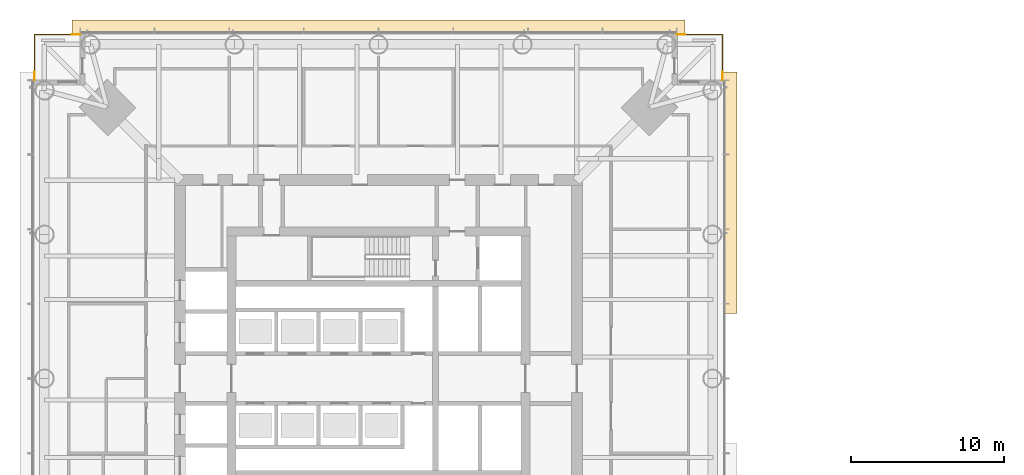
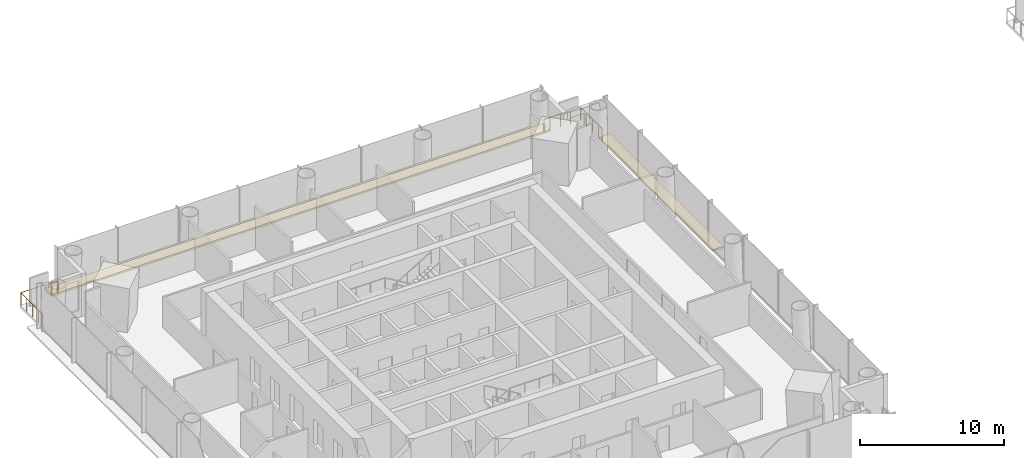
# One storey, part 25 of 27: 6 railings, 2 coverings.
"""IFC4 building model written with IfcOpenShell, lengths in metres."""

from ifc_helpers import new_model, si_unit, direction, frame, origin, origin_2d, place, context, subcontext, project, spatial, polyline, circle, outline, extrude, material, layer, layer_set, type_object, element, save


model = new_model("IFC4")

# Units and contexts
model_context = context("Model", 3, precision=1e-05, world=origin(), true_north=direction((0.0, 1.0)))
body_context = subcontext(model_context, "Body", "Model", "MODEL_VIEW")
ifc_project = project(units=[si_unit("LENGTHUNIT", "METRE"), si_unit("AREAUNIT", "SQUARE_METRE"), si_unit("VOLUMEUNIT", "CUBIC_METRE"), si_unit("PLANEANGLEUNIT", "RADIAN"), si_unit("MASSUNIT", "GRAM", prefix="KILO")], contexts=[model_context])

# Site, building, storey
site_placement = place(None, origin())
site = spatial("IfcSite", under=ifc_project, at=site_placement, CompositionType="ELEMENT")
building_placement = place(site_placement, origin())
building = spatial("IfcBuilding", under=site, at=building_placement, Name="Ostroluk Exchange", CompositionType="ELEMENT")
storey_placement = place(building_placement, frame((0.0, 0.0, 89.39990234375)))
storey = spatial("IfcBuildingStorey", under=building, at=storey_placement, Name="L22", CompositionType="ELEMENT", Elevation=89.39990234375)

# Railings
ifc_material_1 = material(Name="Stainless steel", Category="steel")
railing_type_1 = type_object("IfcRailingType", Name="Guard 1100 stainless steel", PredefinedType="GUARDRAIL", material=ifc_material_1)
railing_1_placement = place(storey_placement, frame((65.0, 68.449951171875, 0.0)))
element("IfcRailing", 1, at=railing_1_placement, inside=storey, type_object=railing_type_1, Name="Office tower NE balcony guard L22", PredefinedType="GUARDRAIL", context=body_context, shape_type="SweptSolid", body=[
    extrude(circle(Radius=0.02392578125, at=origin_2d()), frame((0.0, 0.0, 1.076171875), z_axis=(1.0, 0.0, 0.0), x_axis=(0.0, 1.0, 0.0)), (0.0, 0.0, 1.0), 2.449951171875),
    extrude(circle(Radius=0.02392578125, at=origin_2d()), frame((2.449951171875, 0.0, 1.076171875), z_axis=(0.0, -1.0, 0.0), x_axis=(1.0, 0.0, 0.0)), (0.0, 0.0, 1.0), 2.449951171875),
    extrude(circle(Radius=0.02099609375, at=origin_2d()), origin(), (0.0, 0.0, 1.0), 1.052001953125),
    extrude(circle(Radius=0.02099609375, at=origin_2d()), frame((0.816650390625, 0.0, 0.0)), (0.0, 0.0, 1.0), 1.052001953125),
    extrude(circle(Radius=0.02099609375, at=origin_2d()), frame((1.63330078125, 0.0, 0.0)), (0.0, 0.0, 1.0), 1.052001953125),
    extrude(circle(Radius=0.02099609375, at=origin_2d()), frame((2.449951171875, 0.0, 0.0)), (0.0, 0.0, 1.0), 1.052001953125),
    extrude(circle(Radius=0.02099609375, at=origin_2d()), frame((2.449951171875, -0.816650390625, 0.0)), (0.0, 0.0, 1.0), 1.052001953125),
    extrude(circle(Radius=0.02099609375, at=origin_2d()), frame((2.449951171875, -1.63330078125, 0.0)), (0.0, 0.0, 1.0), 1.052001953125),
    extrude(circle(Radius=0.02099609375, at=origin_2d()), frame((2.449951171875, -2.449951171875, 0.0)), (0.0, 0.0, 1.0), 1.052001953125),
])
railing_2_placement = place(storey_placement, frame((25.0, 68.449951171875, 0.0)))
element("IfcRailing", 2, at=railing_2_placement, inside=storey, type_object=railing_type_1, Name="Office tower NW balcony guard L22", PredefinedType="GUARDRAIL", context=body_context, shape_type="SweptSolid", body=[
    extrude(circle(Radius=0.02392578125, at=origin_2d()), frame((0.0, 0.0, 1.076171875), z_axis=(-1.0, 0.0, 0.0), x_axis=(0.0, -1.0, 0.0)), (0.0, 0.0, 1.0), 2.449951171875),
    extrude(circle(Radius=0.02392578125, at=origin_2d()), frame((-2.449951171875, 0.0, 1.076171875), z_axis=(0.0, -1.0, 0.0), x_axis=(1.0, 0.0, 0.0)), (0.0, 0.0, 1.0), 2.449951171875),
    extrude(circle(Radius=0.02099609375, at=origin_2d()), origin(), (0.0, 0.0, 1.0), 1.052001953125),
    extrude(circle(Radius=0.02099609375, at=origin_2d()), frame((-0.816650390625, 0.0, 0.0)), (0.0, 0.0, 1.0), 1.052001953125),
    extrude(circle(Radius=0.02099609375, at=origin_2d()), frame((-1.63330078125, 0.0, 0.0)), (0.0, 0.0, 1.0), 1.052001953125),
    extrude(circle(Radius=0.02099609375, at=origin_2d()), frame((-2.449951171875, 0.0, 0.0)), (0.0, 0.0, 1.0), 1.052001953125),
    extrude(circle(Radius=0.02099609375, at=origin_2d()), frame((-2.449951171875, -0.816650390625, 0.0)), (0.0, 0.0, 1.0), 1.052001953125),
    extrude(circle(Radius=0.02099609375, at=origin_2d()), frame((-2.449951171875, -1.63330078125, 0.0)), (0.0, 0.0, 1.0), 1.052001953125),
    extrude(circle(Radius=0.02099609375, at=origin_2d()), frame((-2.449951171875, -2.449951171875, 0.0)), (0.0, 0.0, 1.0), 1.052001953125),
])
ifc_material_2 = material(Name="Stainless steel", Category="steel")
railing_type_2 = type_object("IfcRailingType", Name="Lockable maintenance gate 1100", PredefinedType="GUARDRAIL", material=ifc_material_2)
railing_3_placement = place(storey_placement, frame((64.5, 68.449951171875, 0.0)))
element("IfcRailing", 3, at=railing_3_placement, inside=storey, type_object=railing_type_2, Name="Lockable maintenance gate T1 L22 NE", PredefinedType="GUARDRAIL", context=body_context, shape_type="SweptSolid", body=[
    extrude(circle(Radius=0.02392578125, at=origin_2d()), frame((0.0, 0.0, 1.076171875), z_axis=(1.0, 0.0, 0.0), x_axis=(0.0, 1.0, 0.0)), (0.0, 0.0, 1.0), 0.5),
    extrude(circle(Radius=0.02099609375, at=origin_2d()), origin(), (0.0, 0.0, 1.0), 1.052001953125),
    extrude(circle(Radius=0.02099609375, at=origin_2d()), frame((0.5, 0.0, 0.0)), (0.0, 0.0, 1.0), 1.052001953125),
])
railing_4_placement = place(storey_placement, frame((67.449951171875, 66.0, 0.0)))
element("IfcRailing", 4, at=railing_4_placement, inside=storey, type_object=railing_type_2, Name="Lockable maintenance gate T1 L22 NE", PredefinedType="GUARDRAIL", context=body_context, shape_type="SweptSolid", body=[
    extrude(circle(Radius=0.02392578125, at=origin_2d()), frame((0.0, 0.0, 1.076171875), z_axis=(0.0, -1.0, 0.0), x_axis=(1.0, 0.0, 0.0)), (0.0, 0.0, 1.0), 0.5),
    extrude(circle(Radius=0.02099609375, at=origin_2d()), origin(), (0.0, 0.0, 1.0), 1.052001953125),
    extrude(circle(Radius=0.02099609375, at=origin_2d()), frame((0.0, -0.5, 0.0)), (0.0, 0.0, 1.0), 1.052001953125),
])
railing_5_placement = place(storey_placement, frame((25.5, 68.449951171875, 0.0)))
element("IfcRailing", 5, at=railing_5_placement, inside=storey, type_object=railing_type_2, Name="Lockable maintenance gate T1 L22 NW", PredefinedType="GUARDRAIL", context=body_context, shape_type="SweptSolid", body=[
    extrude(circle(Radius=0.02392578125, at=origin_2d()), frame((0.0, 0.0, 1.076171875), z_axis=(-1.0, 0.0, 0.0), x_axis=(0.0, -1.0, 0.0)), (0.0, 0.0, 1.0), 0.5),
    extrude(circle(Radius=0.02099609375, at=origin_2d()), origin(), (0.0, 0.0, 1.0), 1.052001953125),
    extrude(circle(Radius=0.02099609375, at=origin_2d()), frame((-0.5, 0.0, 0.0)), (0.0, 0.0, 1.0), 1.052001953125),
])
railing_6_placement = place(storey_placement, frame((22.550048828125, 66.0, 0.0)))
element("IfcRailing", 6, at=railing_6_placement, inside=storey, type_object=railing_type_2, Name="Lockable maintenance gate T1 L22 NW", PredefinedType="GUARDRAIL", context=body_context, shape_type="SweptSolid", body=[
    extrude(circle(Radius=0.02392578125, at=origin_2d()), frame((0.0, 0.0, 1.076171875), z_axis=(0.0, -1.0, 0.0), x_axis=(1.0, 0.0, 0.0)), (0.0, 0.0, 1.0), 0.5),
    extrude(circle(Radius=0.02099609375, at=origin_2d()), origin(), (0.0, 0.0, 1.0), 1.052001953125),
    extrude(circle(Radius=0.02099609375, at=origin_2d()), frame((0.0, -0.5, 0.0)), (0.0, 0.0, 1.0), 1.052001953125),
])

# Coverings
ifc_material_3 = material(Name="Insulated steel roof deck with membrane, laid to falls, aluminium coping", Category="steel")
ifc_layer = layer(ifc_material_3, 0.14990234375)
ifc_layer_set = layer_set([ifc_layer], Name="Setback maintenance roof")
covering_type = type_object("IfcCoveringType", Name="Setback maintenance roof", PredefinedType="ROOFING", material=ifc_layer_set)
covering_1_placement = place(storey_placement, frame((0.0, 0.0, -0.14990234375)))
element("IfcCovering", 7, at=covering_1_placement, inside=storey, type_object=covering_type, Name="Maintenance roof, setback L22 east", PredefinedType="ROOFING", context=body_context, shape_type="SweptSolid", body=[
    extrude(outline(polyline([(67.5, 66.0), (68.39990234375, 66.0), (68.39990234375, 50.25), (67.5, 50.25), (67.5, 66.0)])), origin(), (0.0, 0.0, 1.0), 0.14990234375),
])
covering_2_placement = place(storey_placement, frame((0.0, 0.0, -0.14990234375)))
element("IfcCovering", 8, at=covering_2_placement, inside=storey, type_object=covering_type, Name="Maintenance roof, setback L22 north", PredefinedType="ROOFING", context=body_context, shape_type="SweptSolid", body=[
    extrude(outline(polyline([(25.0, 69.39990234375), (65.0, 69.39990234375), (65.0, 68.5), (25.0, 68.5), (25.0, 69.39990234375)])), origin(), (0.0, 0.0, 1.0), 0.14990234375),
])

save(model, "model.ifc")
